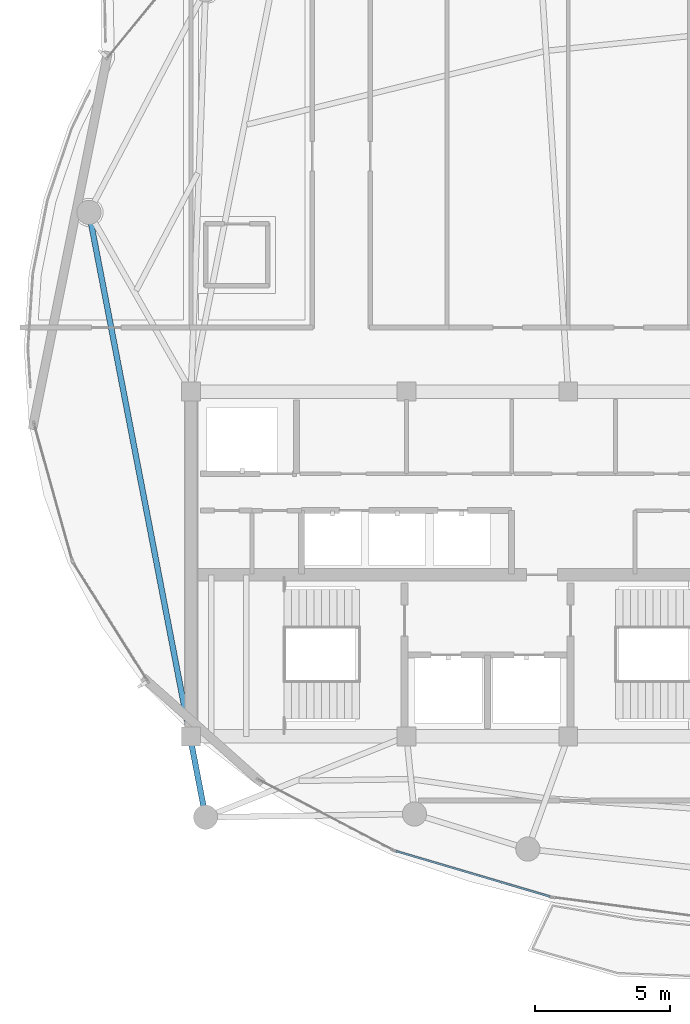
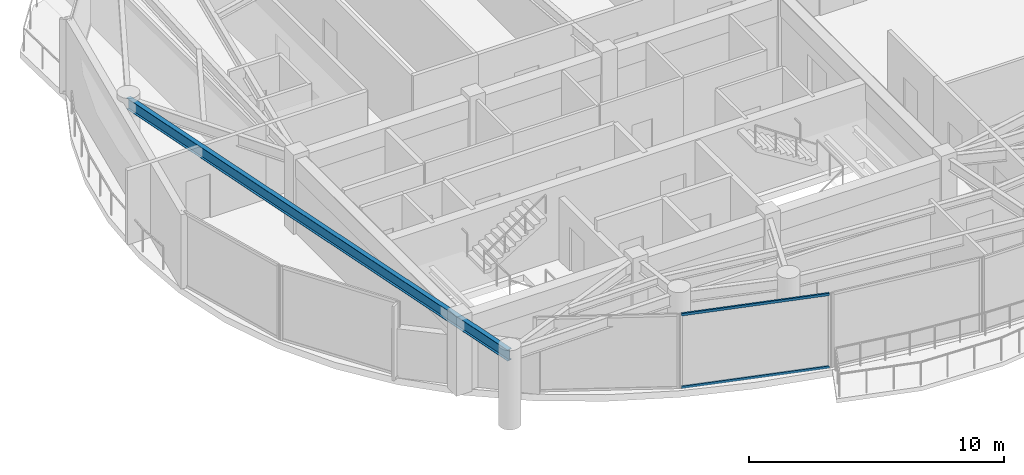
# One storey, part 4 of 29: 2 members, 1 beam, 1 element without a shape of its own.
"""IFC4 building model written with IfcOpenShell, lengths in metres."""

from ifc_helpers import new_model, si_unit, direction, frame, origin, origin_2d, place, context, subcontext, project, spatial, hollow_rectangle, i_section, extrude, material, layer, layer_set, material_profile, profile_set, type_object, element, aggregate, save


model = new_model("IFC4")

# Units and contexts
model_context = context("Model", 3, precision=1e-05, world=origin(), true_north=direction((0.0, 1.0)))
body_context = subcontext(model_context, "Body", "Model", "MODEL_VIEW")
ifc_project = project(units=[si_unit("LENGTHUNIT", "METRE"), si_unit("AREAUNIT", "SQUARE_METRE"), si_unit("VOLUMEUNIT", "CUBIC_METRE"), si_unit("PLANEANGLEUNIT", "RADIAN"), si_unit("MASSUNIT", "GRAM", prefix="KILO")], contexts=[model_context])

# Site, building, storey
site_placement = place(None, origin())
site = spatial("IfcSite", under=ifc_project, at=site_placement, CompositionType="ELEMENT")
building_placement = place(site_placement, origin())
building = spatial("IfcBuilding", under=site, at=building_placement, Name="Kazevale Care Tower and Concert Hall", CompositionType="ELEMENT")
storey_placement = place(building_placement, frame((0.0, 0.0, 281.39990234375)))
storey = spatial("IfcBuildingStorey", under=building, at=storey_placement, Name="L74", CompositionType="ELEMENT", Elevation=281.39990234375)

# Curtain wall, members
ifc_material_1 = material(Name="Aluminium 6063-T6 and Low-E Glass", Category="aluminium")
ifc_layer = layer(ifc_material_1, 0.179931640625)
ifc_layer_set = layer_set([ifc_layer], Name="Aluminium 6063-T6 and Low-E Glass")
curtain_wall_type = type_object("IfcCurtainWallType", Name="Sheltered Concave Balcony Curtain Wall CW-5", PredefinedType="NOTDEFINED", material=ifc_layer_set)
curtain_wall_placement = place(storey_placement, origin())
curtain_wall = element("IfcCurtainWall", 1, at=curtain_wall_placement, inside=storey, type_object=curtain_wall_type, Name="cw:L74:f08", PredefinedType="NOTDEFINED")
ifc_material_2 = material(Name="Aluminium 6063-T6", Category="aluminium")
ifc_material_profile_1 = material_profile(ifc_material_2, hollow_rectangle(XDim=0.074951171875, YDim=0.1201171875, WallThickness=0.00390625, at=origin_2d()), Name="ALU75x120x4")
ifc_profile_set_1 = profile_set([ifc_material_profile_1], Name="Aluminium 6063-T6")
member_type = type_object("IfcMemberType", Name="CW-5 Transom ALU75x120x4", PredefinedType="USERDEFINED", material=ifc_profile_set_1)
member_1_placement = place(storey_placement, frame((35.321044921875, 17.6552734375, 0.03759765625), z_axis=(-0.959060435573, 0.283201484669, 0.0), x_axis=(-0.283201484669, -0.959060435573, 0.0)))
member_1 = element("IfcMember", 2, at=member_1_placement, type_object=member_type, Name="CW-5 transom 1.1", ObjectType="TRANSOM", PredefinedType="USERDEFINED", context=body_context, shape_type="SweptSolid", body=[
    extrude(hollow_rectangle(XDim=0.074951171875, YDim=0.1201171875, WallThickness=0.00390625, at=origin_2d()), origin(), (0.0, 0.0, 1.0), 5.962158203125),
])
member_2_placement = place(storey_placement, frame((35.321044921875, 17.6552734375, 3.522705078125), z_axis=(-0.959060435573, 0.283201484669, 0.0), x_axis=(-0.283201484669, -0.959060435573, 0.0)))
member_2 = element("IfcMember", 3, at=member_2_placement, type_object=member_type, Name="CW-5 transom 1.2", ObjectType="TRANSOM", PredefinedType="USERDEFINED", context=body_context, shape_type="SweptSolid", body=[
    extrude(hollow_rectangle(XDim=0.074951171875, YDim=0.1201171875, WallThickness=0.00390625, at=origin_2d()), origin(), (0.0, 0.0, 1.0), 5.962158203125),
])
aggregate(curtain_wall, [member_1, member_2])

# Beam
ifc_material_3 = material(Name="Steel ASTM A572 Gr 50", Category="steel")
ifc_material_profile_2 = material_profile(ifc_material_3, i_section(OverallWidth=0.208984375, OverallDepth=0.532958984375, WebThickness=0.01025390625, FlangeThickness=0.015625, at=origin_2d()), Name="W530x92")
ifc_profile_set_2 = profile_set([ifc_material_profile_2], Name="Steel ASTM A572 Gr 50")
beam_type = type_object("IfcBeamType", Name="Upper Ring Beam W530x92", PredefinedType="BEAM", material=ifc_profile_set_2)
beam_placement = place(storey_placement, frame((18.2099609375, 43.050048828125, 3.293701171875), z_axis=(0.189386387255, -0.981902640959, 0.0), x_axis=(0.981902640959, 0.189386387255, 0.0)))
element("IfcBeam", 4, at=beam_placement, inside=storey, type_object=beam_type, Name="beam:L74:ring:09", PredefinedType="BEAM", context=body_context, shape_type="SweptSolid", body=[
    extrude(i_section(OverallWidth=0.208984375, OverallDepth=0.532958984375, WebThickness=0.01025390625, FlangeThickness=0.015625, at=origin_2d()), origin(), (0.0, 0.0, 1.0), 22.86376953125),
])

save(model, "model.ifc")
